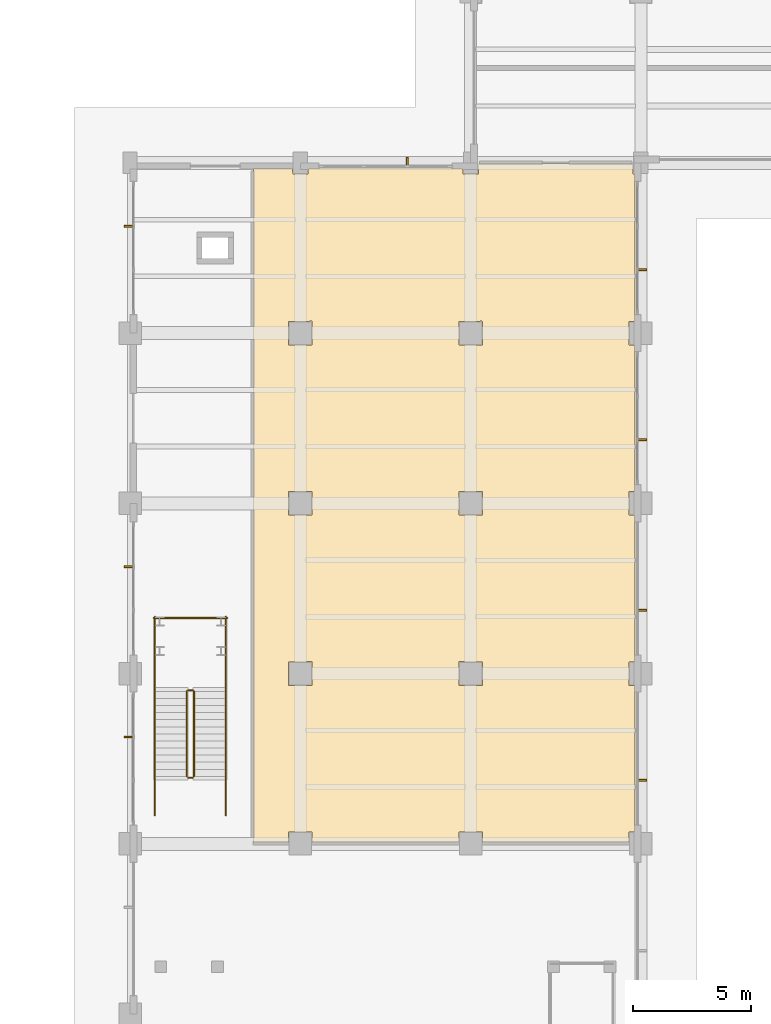
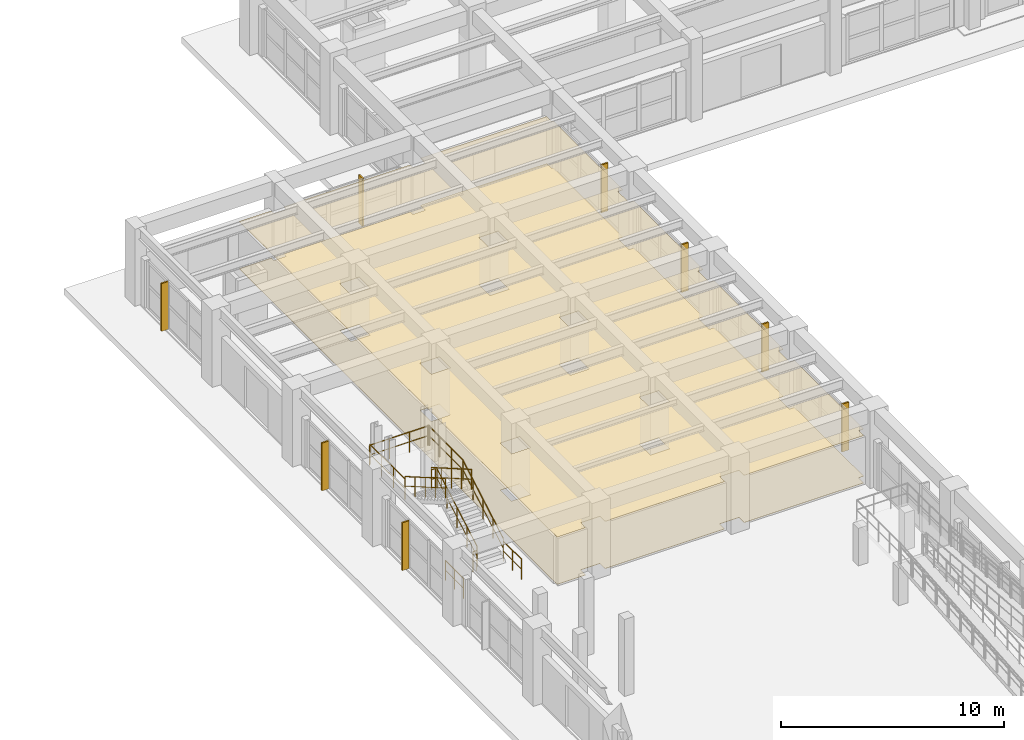
# One storey, part 59 of 64: 11 railings, 8 shading devices, 2 coverings.
"""IFC4 building model written with IfcOpenShell, lengths in metres."""

from ifc_helpers import new_model, si_unit, direction, frame, origin, origin_2d, place, context, subcontext, project, spatial, polyline, rectangle, circle, outline, extrude, material, layer, layer_set, material_profile, profile_set, type_object, element, save


model = new_model("IFC4")

# Units and contexts
model_context = context("Model", 3, precision=1e-05, world=origin(), true_north=direction((0.0, 1.0)))
body_context = subcontext(model_context, "Body", "Model", "MODEL_VIEW")
ifc_project = project(units=[si_unit("LENGTHUNIT", "METRE"), si_unit("AREAUNIT", "SQUARE_METRE"), si_unit("VOLUMEUNIT", "CUBIC_METRE"), si_unit("PLANEANGLEUNIT", "RADIAN"), si_unit("MASSUNIT", "GRAM", prefix="KILO")], contexts=[model_context])

# Site, building, storey
site_placement = place(None, origin())
site = spatial("IfcSite", under=ifc_project, at=site_placement, CompositionType="ELEMENT")
building_placement = place(site_placement, origin())
building = spatial("IfcBuilding", under=site, at=building_placement, Name="Solenvale Faculty of Natural Sciences", CompositionType="ELEMENT")
storey_placement = place(building_placement, origin())
storey = spatial("IfcBuildingStorey", under=building, at=storey_placement, Name="L00", CompositionType="ELEMENT", Elevation=0.0)

# Coverings
ifc_material_1 = material(Name="Acoustic mineral-timber ceiling", Category="wood")
ifc_layer_1 = layer(ifc_material_1, 0.02490234375)
ifc_layer_set_1 = layer_set([ifc_layer_1], Name="Acoustic mineral-timber ceiling")
covering_type_1 = type_object("IfcCoveringType", Name="COV-CEIL-AC25", PredefinedType="CEILING", material=ifc_layer_set_1)
covering_1_placement = place(storey_placement, frame((0.0, 0.0, 2.574951171875)))
element("IfcCovering", 1, at=covering_1_placement, inside=storey, type_object=covering_type_1, Name="L00 Academic Cafe Acoustic Ceiling", PredefinedType="CEILING", context=body_context, shape_type="SweptSolid", body=[
    extrude(outline(polyline([(41.219970703125, 93.330078125), (41.22900390625, 93.35107421875), (41.25, 93.360107421875), (42.847900390625, 93.360107421875), (42.875, 93.3330078125), (42.882080078125, 93.125), (43.513916015625, 93.125), (43.52490234375, 93.134033203125), (43.52587890625, 93.3359375), (43.554931640625, 93.360107421875), (50.044921875, 93.360107421875), (50.073974609375, 93.3359375), (50.08203125, 93.125), (50.714111328125, 93.125), (50.72509765625, 93.135986328125), (50.72509765625, 93.552978515625), (50.751953125, 93.580078125), (57.2451171875, 93.580078125), (57.27099609375, 93.56396484375), (57.27490234375, 93.133056640625), (57.341064453125, 93.123046875), (57.360107421875, 93.094970703125), (57.360107421875, 86.929931640625), (57.3330078125, 86.89990234375), (57.10009765625, 86.89306640625), (57.10009765625, 85.910888671875), (57.111083984375, 85.89990234375), (57.3359375, 85.89892578125), (57.360107421875, 85.8701171875), (57.360107421875, 79.72998046875), (57.3330078125, 79.699951171875), (57.10009765625, 79.693115234375), (57.10009765625, 78.7109375), (57.111083984375, 78.699951171875), (57.3359375, 78.698974609375), (57.360107421875, 78.669921875), (57.360107421875, 72.530029296875), (57.3330078125, 72.5), (57.10009765625, 72.492919921875), (57.10009765625, 71.510986328125), (57.111083984375, 71.5), (57.3359375, 71.4990234375), (57.360107421875, 71.469970703125), (57.360107421875, 65.330078125), (57.3330078125, 65.300048828125), (57.10107421875, 65.294921875), (57.10009765625, 64.8701171875), (57.083984375, 64.843994140625), (50.927001953125, 64.840087890625), (50.89990234375, 64.866943359375), (50.89990234375, 65.2890625), (50.888916015625, 65.300048828125), (49.906005859375, 65.299072265625), (49.89990234375, 64.866943359375), (49.8701171875, 64.840087890625), (43.72705078125, 64.840087890625), (43.699951171875, 64.866943359375), (43.699951171875, 65.2890625), (43.68896484375, 65.300048828125), (42.7060546875, 65.299072265625), (42.699951171875, 64.866943359375), (42.676025390625, 64.841064453125), (41.25, 64.840087890625), (41.22412109375, 64.85595703125), (41.219970703125, 93.330078125)]), holes=[polyline([(49.910888671875, 72.5), (49.89990234375, 72.489013671875), (49.903076171875, 71.5029296875), (50.89697265625, 71.5029296875), (50.89697265625, 72.4970703125), (49.910888671875, 72.5)]), polyline([(50.89990234375, 79.68896484375), (50.888916015625, 79.699951171875), (49.903076171875, 79.697021484375), (49.903076171875, 78.702880859375), (50.89697265625, 78.702880859375), (50.89990234375, 79.68896484375)]), polyline([(50.89990234375, 86.888916015625), (50.888916015625, 86.89990234375), (49.903076171875, 86.89697265625), (49.903076171875, 85.903076171875), (50.89697265625, 85.903076171875), (50.89990234375, 86.888916015625)]), polyline([(42.7109375, 79.699951171875), (42.699951171875, 79.68896484375), (42.702880859375, 78.702880859375), (43.697021484375, 78.702880859375), (43.697021484375, 79.697021484375), (42.7109375, 79.699951171875)]), polyline([(43.699951171875, 72.489013671875), (43.68896484375, 72.5), (42.702880859375, 72.4970703125), (42.702880859375, 71.5029296875), (43.697021484375, 71.5029296875), (43.699951171875, 72.489013671875)]), polyline([(43.699951171875, 86.888916015625), (43.68896484375, 86.89990234375), (42.702880859375, 86.89697265625), (42.702880859375, 85.903076171875), (43.697021484375, 85.903076171875), (43.699951171875, 86.888916015625)])]), origin(), (0.0, 0.0, 1.0), 0.025146484375),
])
ifc_material_2 = material(Name="Polished slate terrazzo flooring", Category="masonry")
ifc_layer_2 = layer(ifc_material_2, 0.01806640625)
ifc_layer_set_2 = layer_set([ifc_layer_2], Name="Polished slate terrazzo flooring")
covering_type_2 = type_object("IfcCoveringType", Name="COV-FLR-TRZ18", PredefinedType="FLOORING", material=ifc_layer_set_2)
covering_2_placement = place(storey_placement, origin())
element("IfcCovering", 2, at=covering_2_placement, inside=storey, type_object=covering_type_2, Name="L00 Academic Cafe Floor Finish", PredefinedType="FLOORING", context=body_context, shape_type="SweptSolid", body=[
    extrude(outline(polyline([(41.219970703125, 93.330078125), (41.22900390625, 93.35107421875), (41.25, 93.360107421875), (42.847900390625, 93.360107421875), (42.875, 93.3330078125), (42.882080078125, 93.125), (43.513916015625, 93.125), (43.52490234375, 93.134033203125), (43.52587890625, 93.3359375), (43.554931640625, 93.360107421875), (50.044921875, 93.360107421875), (50.073974609375, 93.3359375), (50.08203125, 93.125), (50.714111328125, 93.125), (50.72509765625, 93.135986328125), (50.72509765625, 93.552978515625), (50.751953125, 93.580078125), (57.2451171875, 93.580078125), (57.27099609375, 93.56396484375), (57.27490234375, 93.133056640625), (57.341064453125, 93.123046875), (57.360107421875, 93.094970703125), (57.360107421875, 86.929931640625), (57.3330078125, 86.89990234375), (57.10009765625, 86.89306640625), (57.10009765625, 85.910888671875), (57.111083984375, 85.89990234375), (57.3359375, 85.89892578125), (57.360107421875, 85.8701171875), (57.360107421875, 79.72998046875), (57.3330078125, 79.699951171875), (57.10009765625, 79.693115234375), (57.10009765625, 78.7109375), (57.111083984375, 78.699951171875), (57.3359375, 78.698974609375), (57.360107421875, 78.669921875), (57.360107421875, 72.530029296875), (57.3330078125, 72.5), (57.10009765625, 72.492919921875), (57.10009765625, 71.510986328125), (57.111083984375, 71.5), (57.3359375, 71.4990234375), (57.360107421875, 71.469970703125), (57.360107421875, 65.330078125), (57.3330078125, 65.300048828125), (57.10107421875, 65.294921875), (57.10009765625, 64.8701171875), (57.083984375, 64.843994140625), (50.927001953125, 64.840087890625), (50.89990234375, 64.866943359375), (50.89990234375, 65.2890625), (50.888916015625, 65.300048828125), (49.906005859375, 65.299072265625), (49.89990234375, 64.866943359375), (49.8701171875, 64.840087890625), (43.72705078125, 64.840087890625), (43.699951171875, 64.866943359375), (43.699951171875, 65.2890625), (43.68896484375, 65.300048828125), (42.7060546875, 65.299072265625), (42.699951171875, 64.866943359375), (42.676025390625, 64.841064453125), (41.25, 64.840087890625), (41.22412109375, 64.85595703125), (41.219970703125, 93.330078125)]), holes=[polyline([(49.910888671875, 72.5), (49.89990234375, 72.489013671875), (49.903076171875, 71.5029296875), (50.89697265625, 71.5029296875), (50.89697265625, 72.4970703125), (49.910888671875, 72.5)]), polyline([(50.89990234375, 79.68896484375), (50.888916015625, 79.699951171875), (49.903076171875, 79.697021484375), (49.903076171875, 78.702880859375), (50.89697265625, 78.702880859375), (50.89990234375, 79.68896484375)]), polyline([(50.89990234375, 86.888916015625), (50.888916015625, 86.89990234375), (49.903076171875, 86.89697265625), (49.903076171875, 85.903076171875), (50.89697265625, 85.903076171875), (50.89990234375, 86.888916015625)]), polyline([(42.7109375, 79.699951171875), (42.699951171875, 79.68896484375), (42.702880859375, 78.702880859375), (43.697021484375, 78.702880859375), (43.697021484375, 79.697021484375), (42.7109375, 79.699951171875)]), polyline([(43.699951171875, 72.489013671875), (43.68896484375, 72.5), (42.702880859375, 72.4970703125), (42.702880859375, 71.5029296875), (43.697021484375, 71.5029296875), (43.699951171875, 72.489013671875)]), polyline([(43.699951171875, 86.888916015625), (43.68896484375, 86.89990234375), (42.702880859375, 86.89697265625), (42.702880859375, 85.903076171875), (43.697021484375, 85.903076171875), (43.699951171875, 86.888916015625)])]), origin(), (0.0, 0.0, 1.0), 0.01806640625),
])

# Railings
ifc_material_3 = material(Name="Stainless steel Grade 304", Category="steel")
railing_type_1 = type_object("IfcRailingType", Name="RL-GRD-ATR-1150", PredefinedType="GUARDRAIL", material=ifc_material_3)
railing_1_placement = place(storey_placement, frame((38.699951171875, 67.64990234375, 0.173095703125)))
element("IfcRailing", 3, at=railing_1_placement, inside=storey, type_object=railing_type_1, Name="L00 ST-06 stair guard 1", PredefinedType="GUARDRAIL", context=body_context, shape_type="SweptSolid", body=[
    extrude(circle(Radius=0.02392578125, at=origin_2d()), frame((0.0, 0.0, 1.09619140625), z_axis=(0.0, 0.866193409371, 0.499708892819), x_axis=(-1.0, 0.0, 0.0)), (0.0, 0.0, 1.0), 4.15625),
    extrude(circle(Radius=0.01611328125, at=origin_2d()), frame((0.0, 0.0, 0.56005859375), z_axis=(0.0, 0.866193409371, 0.499708892819), x_axis=(-1.0, 0.0, 0.0)), (0.0, 0.0, 1.0), 4.15625),
    extrude(circle(Radius=0.02099609375, at=origin_2d()), origin(), (0.0, 0.0, 1.0), 1.072021484375),
    extrude(circle(Radius=0.02099609375, at=origin_2d()), frame((0.0, 0.89990234375, 0.519287109375)), (0.0, 0.0, 1.0), 1.072021484375),
    extrude(circle(Radius=0.02099609375, at=origin_2d()), frame((0.0, 1.800048828125, 1.03857421875)), (0.0, 0.0, 1.0), 1.072021484375),
    extrude(circle(Radius=0.02099609375, at=origin_2d()), frame((0.0, 2.7001953125, 1.5576171875)), (0.0, 0.0, 1.0), 1.072021484375),
    extrude(circle(Radius=0.02099609375, at=origin_2d()), frame((0.0, 3.60009765625, 2.076904296875)), (0.0, 0.0, 1.0), 1.072021484375),
])
railing_2_placement = place(storey_placement, frame((38.64990234375, 71.300048828125, 2.25)))
element("IfcRailing", 4, at=railing_2_placement, inside=storey, type_object=railing_type_1, Name="L00 ST-06 stair guard 2", PredefinedType="GUARDRAIL", context=body_context, shape_type="SweptSolid", body=[
    extrude(circle(Radius=0.02392578125, at=origin_2d()), frame((0.0, 0.0, 1.09619140625), z_axis=(-1.0, 0.0, 0.0), x_axis=(0.0, -1.0, 0.0)), (0.0, 0.0, 1.0), 0.199951171875),
    extrude(circle(Radius=0.01611328125, at=origin_2d()), frame((0.0, 0.0, 0.56005859375), z_axis=(-1.0, 0.0, 0.0), x_axis=(0.0, -1.0, 0.0)), (0.0, 0.0, 1.0), 0.199951171875),
    extrude(circle(Radius=0.02099609375, at=origin_2d()), origin(), (0.0, 0.0, 1.0), 1.072021484375),
    extrude(circle(Radius=0.02099609375, at=origin_2d()), frame((-0.199951171875, 0.0, 0.0)), (0.0, 0.0, 1.0), 1.072021484375),
])
for number, where, name in (
    (5, (40.050048828125, 71.25, 2.25), "L00 ST-06 stair guard 3"),
    (6, (37.050048828125, 71.25, 2.25), "L00 ST-06 stair guard 4"),
):
    element("IfcRailing", number, at=place(storey_placement, frame(where)), inside=storey, type_object=railing_type_1, Name=name, PredefinedType="GUARDRAIL", context=body_context, shape_type="SweptSolid", body=[
        extrude(circle(Radius=0.02392578125, at=origin_2d()), frame((0.0, 0.0, 1.09619140625), z_axis=(0.0, 1.0, 0.0), x_axis=(-1.0, 0.0, 0.0)), (0.0, 0.0, 1.0), 3.14990234375),
        extrude(circle(Radius=0.01611328125, at=origin_2d()), frame((0.0, 0.0, 0.56005859375), z_axis=(0.0, 1.0, 0.0), x_axis=(-1.0, 0.0, 0.0)), (0.0, 0.0, 1.0), 3.14990234375),
        extrude(circle(Radius=0.02099609375, at=origin_2d()), origin(), (0.0, 0.0, 1.0), 1.072021484375),
        extrude(circle(Radius=0.02099609375, at=origin_2d()), frame((0.0, 1.050048828125, 0.0)), (0.0, 0.0, 1.0), 1.072021484375),
        extrude(circle(Radius=0.02099609375, at=origin_2d()), frame((0.0, 2.099853515625, 0.0)), (0.0, 0.0, 1.0), 1.072021484375),
        extrude(circle(Radius=0.02099609375, at=origin_2d()), frame((0.0, 3.14990234375, 0.0)), (0.0, 0.0, 1.0), 1.072021484375),
    ])
railing_3_placement = place(storey_placement, frame((40.10009765625, 74.35009765625, 2.25)))
element("IfcRailing", 7, at=railing_3_placement, inside=storey, type_object=railing_type_1, Name="L00 ST-06 stair guard 5", PredefinedType="GUARDRAIL", context=body_context, shape_type="SweptSolid", body=[
    extrude(circle(Radius=0.02392578125, at=origin_2d()), frame((0.0, 0.0, 1.09619140625), z_axis=(-1.0, 0.0, 0.0), x_axis=(0.0, -1.0, 0.0)), (0.0, 0.0, 1.0), 3.10009765625),
    extrude(circle(Radius=0.01611328125, at=origin_2d()), frame((0.0, 0.0, 0.56005859375), z_axis=(-1.0, 0.0, 0.0), x_axis=(0.0, -1.0, 0.0)), (0.0, 0.0, 1.0), 3.10009765625),
    extrude(circle(Radius=0.02099609375, at=origin_2d()), origin(), (0.0, 0.0, 1.0), 1.072021484375),
    extrude(circle(Radius=0.02099609375, at=origin_2d()), frame((-1.033447265625, 0.0, 0.0)), (0.0, 0.0, 1.0), 1.072021484375),
    extrude(circle(Radius=0.02099609375, at=origin_2d()), frame((-2.066650390625, 0.0, 0.0)), (0.0, 0.0, 1.0), 1.072021484375),
    extrude(circle(Radius=0.02099609375, at=origin_2d()), frame((-3.10009765625, 0.0, 0.0)), (0.0, 0.0, 1.0), 1.072021484375),
])
railing_4_placement = place(storey_placement, frame((38.39990234375, 71.25, 2.423095703125)))
element("IfcRailing", 8, at=railing_4_placement, inside=storey, type_object=railing_type_1, Name="L00 ST-06 stair guard 6", PredefinedType="GUARDRAIL", context=body_context, shape_type="SweptSolid", body=[
    extrude(circle(Radius=0.02392578125, at=origin_2d()), frame((0.0, 0.0, 1.09619140625), z_axis=(0.0, -0.866193409371, 0.499708892819), x_axis=(1.0, 0.0, 0.0)), (0.0, 0.0, 1.0), 4.15625),
    extrude(circle(Radius=0.01611328125, at=origin_2d()), frame((0.0, 0.0, 0.56005859375), z_axis=(0.0, -0.866193409371, 0.499708892819), x_axis=(1.0, 0.0, 0.0)), (0.0, 0.0, 1.0), 4.15625),
    extrude(circle(Radius=0.02099609375, at=origin_2d()), origin(), (0.0, 0.0, 1.0), 1.072021484375),
    extrude(circle(Radius=0.02099609375, at=origin_2d()), frame((0.0, -0.89990234375, 0.519287109375)), (0.0, 0.0, 1.0), 1.072021484375),
    extrude(circle(Radius=0.02099609375, at=origin_2d()), frame((0.0, -1.800048828125, 1.03857421875)), (0.0, 0.0, 1.0), 1.072021484375),
    extrude(circle(Radius=0.02099609375, at=origin_2d()), frame((0.0, -2.7001953125, 1.5576171875)), (0.0, 0.0, 1.0), 1.072021484375),
    extrude(circle(Radius=0.02099609375, at=origin_2d()), frame((0.0, -3.60009765625, 2.076904296875)), (0.0, 0.0, 1.0), 1.072021484375),
])
railing_5_placement = place(storey_placement, frame((38.64990234375, 67.60009765625, 0.0)))
element("IfcRailing", 9, at=railing_5_placement, inside=storey, type_object=railing_type_1, Name="L00 ST-06 stair guard 7", PredefinedType="GUARDRAIL", context=body_context, shape_type="SweptSolid", body=[
    extrude(circle(Radius=0.02392578125, at=origin_2d()), frame((0.0, 0.0, 1.09619140625), z_axis=(-1.0, 0.0, 0.0), x_axis=(0.0, -1.0, 0.0)), (0.0, 0.0, 1.0), 0.199951171875),
    extrude(circle(Radius=0.01611328125, at=origin_2d()), frame((0.0, 0.0, 0.56005859375), z_axis=(-1.0, 0.0, 0.0), x_axis=(0.0, -1.0, 0.0)), (0.0, 0.0, 1.0), 0.199951171875),
    extrude(circle(Radius=0.02099609375, at=origin_2d()), origin(), (0.0, 0.0, 1.0), 1.072021484375),
    extrude(circle(Radius=0.02099609375, at=origin_2d()), frame((-0.199951171875, 0.0, 0.0)), (0.0, 0.0, 1.0), 1.072021484375),
])
for number, where, name in (
    (10, (40.050048828125, 66.0, 0.0), "L00 ST-06 stair guard 8"),
    (11, (37.050048828125, 66.0, 0.0), "L00 ST-06 stair guard 9"),
):
    element("IfcRailing", number, at=place(storey_placement, frame(where)), inside=storey, type_object=railing_type_1, Name=name, PredefinedType="GUARDRAIL", context=body_context, shape_type="SweptSolid", body=[
        extrude(circle(Radius=0.02392578125, at=origin_2d()), frame((0.0, 0.0, 1.09619140625), z_axis=(0.0, 1.0, 0.0), x_axis=(-1.0, 0.0, 0.0)), (0.0, 0.0, 1.0), 1.64990234375),
        extrude(circle(Radius=0.01611328125, at=origin_2d()), frame((0.0, 0.0, 0.56005859375), z_axis=(0.0, 1.0, 0.0), x_axis=(-1.0, 0.0, 0.0)), (0.0, 0.0, 1.0), 1.64990234375),
        extrude(circle(Radius=0.02099609375, at=origin_2d()), origin(), (0.0, 0.0, 1.0), 1.072021484375),
        extrude(circle(Radius=0.02099609375, at=origin_2d()), frame((0.0, 0.824951171875, 0.0)), (0.0, 0.0, 1.0), 1.072021484375),
        extrude(circle(Radius=0.02099609375, at=origin_2d()), frame((0.0, 1.64990234375, 0.0)), (0.0, 0.0, 1.0), 1.072021484375),
    ])
railing_type_2 = type_object("IfcRailingType", Name="RL-HND-900", PredefinedType="HANDRAIL", material=ifc_material_3)
railing_6_placement = place(storey_placement, frame((40.050048828125, 67.64990234375, 0.173095703125)))
element("IfcRailing", 12, at=railing_6_placement, inside=storey, type_object=railing_type_2, Name="L00 ST-06 stair handrail 1", PredefinedType="HANDRAIL", context=body_context, shape_type="SweptSolid", body=[
    extrude(circle(Radius=0.02392578125, at=origin_2d()), frame((0.0, 0.0, 1.0732421875), z_axis=(0.0, 0.866193409371, 0.499708892819), x_axis=(-1.0, 0.0, 0.0)), (0.0, 0.0, 1.0), 4.15625),
    extrude(circle(Radius=0.01611328125, at=origin_2d()), frame((0.0, 0.0, 0.548583984375), z_axis=(0.0, 0.866193409371, 0.499708892819), x_axis=(-1.0, 0.0, 0.0)), (0.0, 0.0, 1.0), 4.15625),
    extrude(circle(Radius=0.02099609375, at=origin_2d()), origin(), (0.0, 0.0, 1.0), 1.049072265625),
    extrude(circle(Radius=0.02099609375, at=origin_2d()), frame((0.0, 0.89990234375, 0.519287109375)), (0.0, 0.0, 1.0), 1.049072265625),
    extrude(circle(Radius=0.02099609375, at=origin_2d()), frame((0.0, 1.800048828125, 1.03857421875)), (0.0, 0.0, 1.0), 1.049072265625),
    extrude(circle(Radius=0.02099609375, at=origin_2d()), frame((0.0, 2.7001953125, 1.5576171875)), (0.0, 0.0, 1.0), 1.049072265625),
    extrude(circle(Radius=0.02099609375, at=origin_2d()), frame((0.0, 3.60009765625, 2.076904296875)), (0.0, 0.0, 1.0), 1.049072265625),
])
railing_7_placement = place(storey_placement, frame((37.050048828125, 71.25, 2.423095703125)))
element("IfcRailing", 13, at=railing_7_placement, inside=storey, type_object=railing_type_2, Name="L00 ST-06 stair handrail 2", PredefinedType="HANDRAIL", context=body_context, shape_type="SweptSolid", body=[
    extrude(circle(Radius=0.02392578125, at=origin_2d()), frame((0.0, 0.0, 1.0732421875), z_axis=(0.0, -0.866193409371, 0.499708892819), x_axis=(1.0, 0.0, 0.0)), (0.0, 0.0, 1.0), 4.15625),
    extrude(circle(Radius=0.01611328125, at=origin_2d()), frame((0.0, 0.0, 0.548583984375), z_axis=(0.0, -0.866193409371, 0.499708892819), x_axis=(1.0, 0.0, 0.0)), (0.0, 0.0, 1.0), 4.15625),
    extrude(circle(Radius=0.02099609375, at=origin_2d()), origin(), (0.0, 0.0, 1.0), 1.049072265625),
    extrude(circle(Radius=0.02099609375, at=origin_2d()), frame((0.0, -0.89990234375, 0.519287109375)), (0.0, 0.0, 1.0), 1.049072265625),
    extrude(circle(Radius=0.02099609375, at=origin_2d()), frame((0.0, -1.800048828125, 1.03857421875)), (0.0, 0.0, 1.0), 1.049072265625),
    extrude(circle(Radius=0.02099609375, at=origin_2d()), frame((0.0, -2.7001953125, 1.5576171875)), (0.0, 0.0, 1.0), 1.049072265625),
    extrude(circle(Radius=0.02099609375, at=origin_2d()), frame((0.0, -3.60009765625, 2.076904296875)), (0.0, 0.0, 1.0), 1.049072265625),
])

# Shading devices
ifc_material_4 = material(Name="Anodised bronze aluminium", Category="aluminium")
ifc_material_profile = material_profile(ifc_material_4, rectangle(XDim=0.080078125, YDim=0.360107421875, at=origin_2d()), Name="ALU-FIN-80x360")
ifc_profile_set = profile_set([ifc_material_profile], Name="Anodised bronze aluminium")
shading_device_type = type_object("IfcShadingDeviceType", Name="SHD-FIN-360", PredefinedType="JALOUSIE", material=ifc_profile_set)
for number, where, z_axis, x_axis, name in (
    (14, (57.659912109375, 67.4833984375, -0.02001953125), (0.0, 0.0, 1.0), (0.0, 1.0, 0.0), "L00 Vertical Brise-Soleil Fin 10.3"),
    (15, (57.659912109375, 74.683349609375, -0.02001953125), (0.0, 0.0, 1.0), (0.0, 1.0, 0.0), "L00 Vertical Brise-Soleil Fin 10.4"),
    (16, (57.659912109375, 81.88330078125, -0.02001953125), (0.0, 0.0, 1.0), (0.0, 1.0, 0.0), "L00 Vertical Brise-Soleil Fin 10.5"),
    (17, (57.659912109375, 89.083251953125, -0.02001953125), (0.0, 0.0, 1.0), (0.0, 1.0, 0.0), "L00 Vertical Brise-Soleil Fin 10.6"),
    (18, (47.716552734375, 93.659912109375, -0.02001953125), (0.0, 0.0, 1.0), (1.0, 0.0, 0.0), "L00 Vertical Brise-Soleil Fin 21.1"),
    (19, (35.93994140625, 90.916748046875, -0.02001953125), (0.0, 0.0, 1.0), (0.0, 1.0, 0.0), "L00 Vertical Brise-Soleil Fin 22.1"),
    (20, (35.93994140625, 76.5166015625, -0.02001953125), (0.0, 0.0, 1.0), (0.0, 1.0, 0.0), "L00 Vertical Brise-Soleil Fin 22.3"),
    (21, (35.93994140625, 69.316650390625, -0.02001953125), (0.0, 0.0, 1.0), (0.0, 1.0, 0.0), "L00 Vertical Brise-Soleil Fin 22.4"),
):
    element("IfcShadingDevice", number, at=place(storey_placement, frame(where, z_axis=z_axis, x_axis=x_axis)), inside=storey, type_object=shading_device_type, Name=name, PredefinedType="JALOUSIE", context=body_context, shape_type="SweptSolid", body=[
        extrude(rectangle(XDim=0.080078125, YDim=0.360107421875, at=origin_2d()), origin(), (0.0, 0.0, 1.0), 2.6201171875),
    ])

save(model, "model.ifc")
